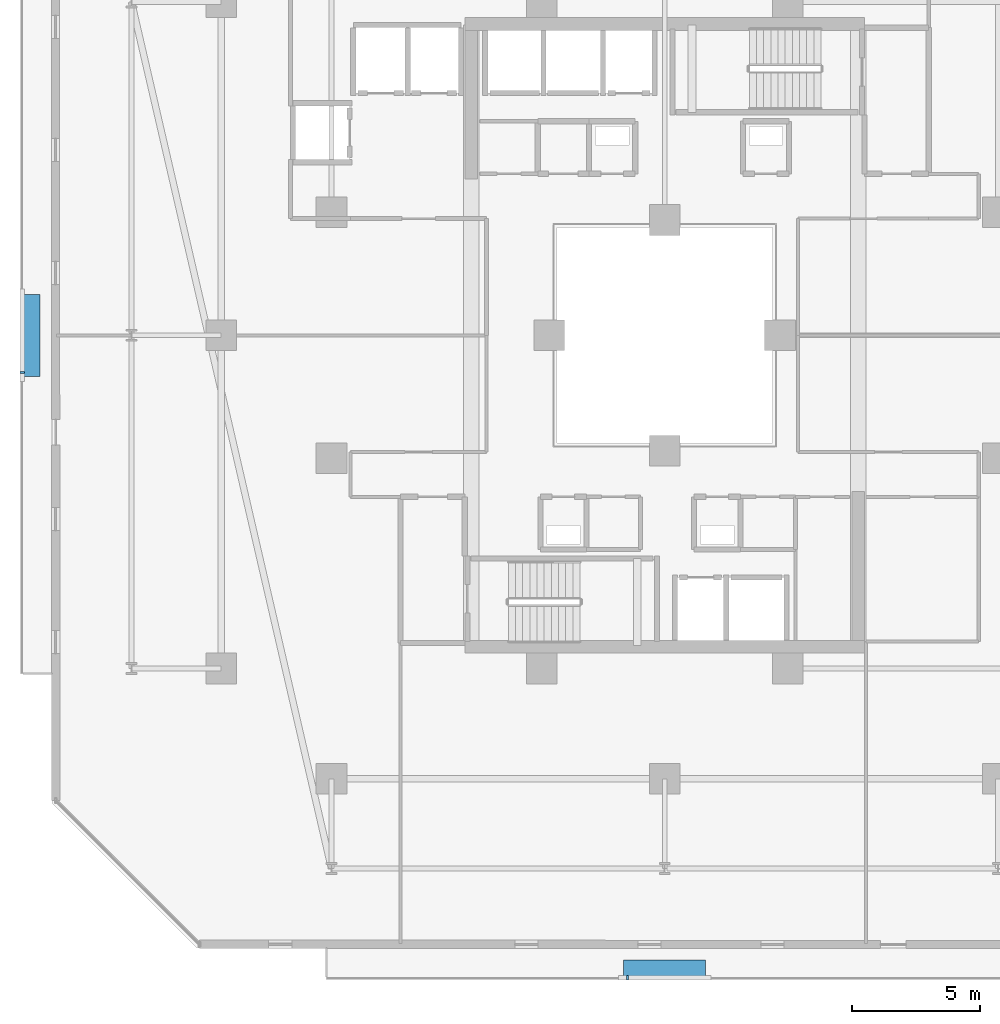
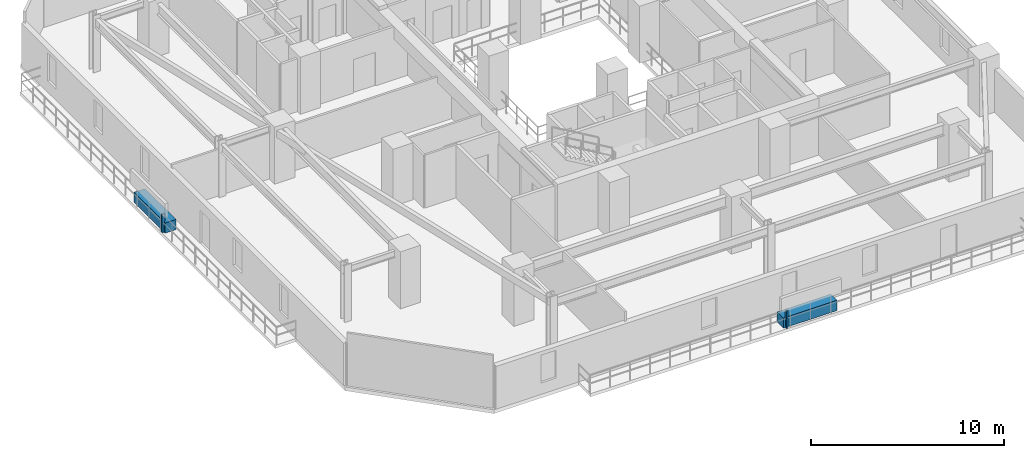
# One storey, part 25 of 31: 4 discrete accessories.
"""IFC4 building model written with IfcOpenShell, lengths in metres."""

from ifc_helpers import new_model, si_unit, direction, frame, origin, origin_2d, place, context, subcontext, project, spatial, rectangle, extrude, material, type_object, element, save


model = new_model("IFC4")

# Units and contexts
model_context = context("Model", 3, precision=1e-05, world=origin(), true_north=direction((0.0, 1.0)))
body_context = subcontext(model_context, "Body", "Model", "MODEL_VIEW")
ifc_project = project(units=[si_unit("LENGTHUNIT", "METRE"), si_unit("AREAUNIT", "SQUARE_METRE"), si_unit("VOLUMEUNIT", "CUBIC_METRE"), si_unit("PLANEANGLEUNIT", "RADIAN"), si_unit("MASSUNIT", "GRAM", prefix="KILO")], contexts=[model_context])

# Site, building, storey
site_placement = place(None, origin())
site = spatial("IfcSite", under=ifc_project, at=site_placement, CompositionType="ELEMENT")
building_placement = place(site_placement, origin())
building = spatial("IfcBuilding", under=site, at=building_placement, Name="Thornwick Lancets Civic Towers", CompositionType="ELEMENT")
storey_placement = place(building_placement, frame((0.0, 0.0, 126.89990234375)))
storey = spatial("IfcBuildingStorey", under=building, at=storey_placement, Name="L33", CompositionType="ELEMENT", Elevation=126.89990234375)

# Discrete accessories
ifc_material_1 = material(Name="Planted terracotta greenery planter", Category="masonry")
discrete_accessory_type_1 = type_object("IfcDiscreteAccessoryType", Name="ACC_PLANTER_BOX", PredefinedType="USERDEFINED", material=ifc_material_1)
discrete_accessory_1_placement = place(storey_placement, frame((25.5, 2.300048828125, 0.000244140625), z_axis=(0.0, 0.0, 1.0), x_axis=(1.0, 0.0, 0.0)))
element("IfcDiscreteAccessory", 1, at=discrete_accessory_1_placement, inside=storey, type_object=discrete_accessory_type_1, Name="L33 Tower A Balcony Greenery Planter S", ObjectType="PLANTER", PredefinedType="USERDEFINED", context=body_context, shape_type="SweptSolid", body=[
    extrude(rectangle(XDim=3.199951171875, YDim=0.64990234375, at=origin_2d()), origin(), (0.0, 0.0, 1.0), 0.64990234375),
])
discrete_accessory_2_placement = place(storey_placement, frame((0.800048828125, 27.0, 0.000244140625), z_axis=(0.0, 0.0, 1.0), x_axis=(1.0, 0.0, 0.0)))
element("IfcDiscreteAccessory", 2, at=discrete_accessory_2_placement, inside=storey, type_object=discrete_accessory_type_1, Name="L33 Tower A Balcony Greenery Planter W", ObjectType="PLANTER", PredefinedType="USERDEFINED", context=body_context, shape_type="SweptSolid", body=[
    extrude(rectangle(XDim=0.64990234375, YDim=3.199951171875, at=origin_2d()), origin(), (0.0, 0.0, 1.0), 0.64990234375),
])
ifc_material_2 = material(Name="Stainless steel S355", Category="steel")
discrete_accessory_type_2 = type_object("IfcDiscreteAccessoryType", Name="ACC_SCREEN_BRACKET", PredefinedType="BRACKET", material=ifc_material_2)
for number, where, z_axis, x_axis, name in (
    (3, (24.050048828125, 1.93994140625, 0.000244140625), (0.0, 0.0, 1.0), (1.0, 0.0, 0.0), "L33 Tower A Balcony Screen Stanchion Bracket S-1"),
    (4, (0.43994140625, 25.550048828125, 0.000244140625), (0.0, 0.0, 1.0), (0.0, 1.0, 0.0), "L33 Tower A Balcony Screen Stanchion Bracket W-1"),
):
    element("IfcDiscreteAccessory", number, at=place(storey_placement, frame(where, z_axis=z_axis, x_axis=x_axis)), inside=storey, type_object=discrete_accessory_type_2, Name=name, PredefinedType="BRACKET", context=body_context, shape_type="SweptSolid", body=[
        extrude(rectangle(XDim=0.080078125, YDim=0.179931640625, at=origin_2d()), origin(), (0.0, 0.0, 1.0), 1.14990234375),
    ])

save(model, "model.ifc")
